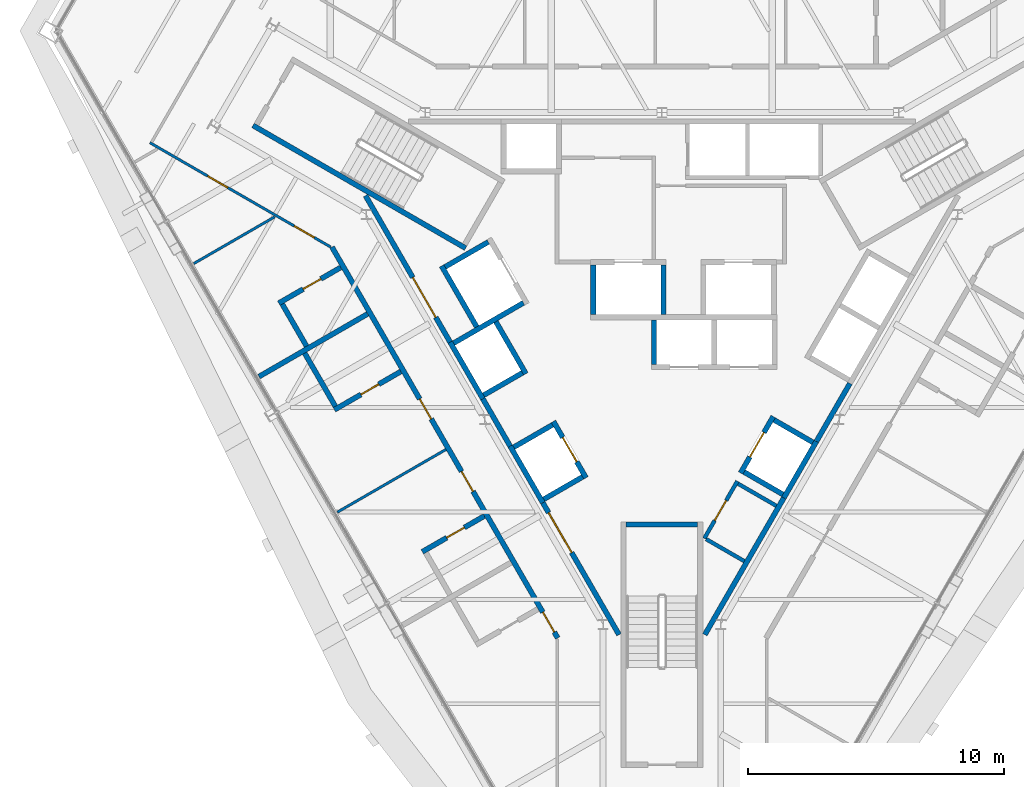
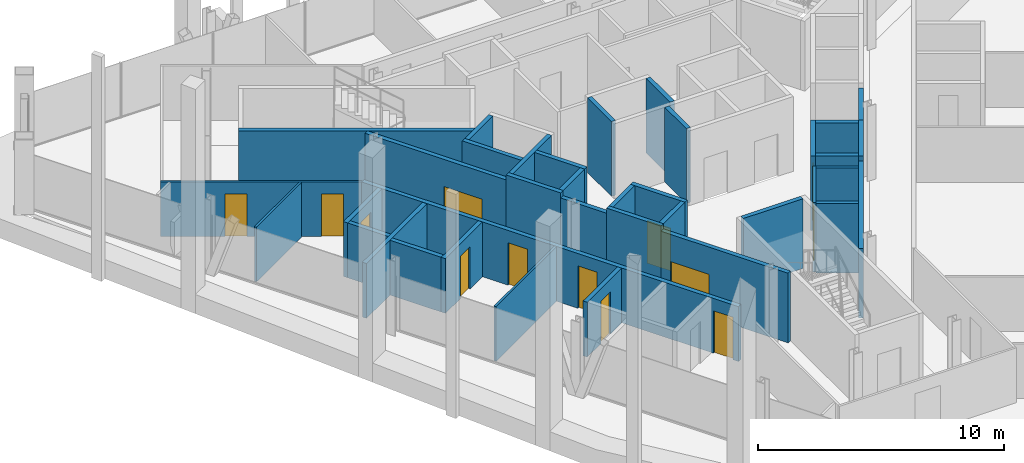
# One storey, part 9 of 14: 37 walls, 13 doors, 13 openings.
"""IFC4 building model written with IfcOpenShell, lengths in metres."""

from ifc_helpers import new_model, si_unit, direction, frame, frame_2d, origin, place, context, subcontext, project, spatial, rectangle, extrude, material, layer, layer_set, type_object, element, fill, save


model = new_model("IFC4")

# Units and contexts
model_context = context("Model", 3, precision=1e-05, world=origin(), true_north=direction((0.0, 1.0)))
body_context = subcontext(model_context, "Body", "Model", "MODEL_VIEW")
ifc_project = project(units=[si_unit("LENGTHUNIT", "METRE"), si_unit("AREAUNIT", "SQUARE_METRE"), si_unit("VOLUMEUNIT", "CUBIC_METRE"), si_unit("PLANEANGLEUNIT", "RADIAN"), si_unit("MASSUNIT", "GRAM", prefix="KILO")], contexts=[model_context])

# Site, building, storey
site_placement = place(None, origin())
site = spatial("IfcSite", under=ifc_project, at=site_placement, CompositionType="ELEMENT")
building_placement = place(site_placement, origin())
building = spatial("IfcBuilding", under=site, at=building_placement, Name="Verrane Prism Tower", CompositionType="ELEMENT")
storey_placement = place(building_placement, frame((0.0, 0.0, 206.39990234375)))
storey = spatial("IfcBuildingStorey", under=building, at=storey_placement, Name="L51", CompositionType="ELEMENT", Elevation=206.39990234375)

# Wall, opening, door
ifc_material_1 = material(Name="Gypsum board partition", Category="other")
ifc_layer_1 = layer(ifc_material_1, 0.199951171875)
ifc_layer_set_1 = layer_set([ifc_layer_1], Name="CW-200 core boundary wall 2 h")
wall_type_1 = type_object("IfcWallType", Name="CW-200 core boundary wall 2 h", PredefinedType="PARTITIONING", material=ifc_layer_set_1)
wall_1_placement = place(storey_placement, frame((-11.590576171875, 4.7548828125, 0.0), z_axis=(0.0, 0.0, 1.0), x_axis=(0.500043977787, -0.866000011708, 0.0)))
wall_1 = element("IfcWall", 1, at=wall_1_placement, inside=storey, type_object=wall_type_1, Name="Core boundary wall CW3-001", PredefinedType="PARTITIONING", context=body_context, shape_type="SweptSolid", body=[
    extrude(rectangle(XDim=6.61669921875, YDim=0.199951171875, at=frame_2d((3.308349609375, 0.0))), origin(), (0.0, 0.0, 1.0), 3.4501953125),
])
opening_1_placement = place(wall_1_placement, frame((3.695068359375, 0.0, 0.0)))
opening_1 = element("IfcOpeningElement", 2, at=opening_1_placement, cuts=wall_1, Name="Opening D51510", PredefinedType="OPENING", context=body_context, shape_type="SweptSolid", body=[
    extrude(rectangle(XDim=1.800048828125, YDim=2.10009765625, at=frame_2d((0.89990234375, 1.050048828125))), frame((0.0, 0.10986328125, 0.0), z_axis=(0.0, -1.0, 0.0), x_axis=(1.0, 0.0, 0.0)), (0.0, 0.0, 1.0), 0.219970703125),
])
ifc_material_2 = material(Name="Timber veneered door leaf", Category="wood")
door_type_1 = type_object("IfcDoorType", Name="DR-1800x2100 FD60 double leaf lift lobby", OperationType="NOTDEFINED", PredefinedType="DOOR", material=ifc_material_2)
door_1_placement = place(opening_1_placement, origin())
door_1 = element("IfcDoor", 3, at=door_1_placement, inside=storey, type_object=door_type_1, Name="Lift lobby door D51510", OperationType="DOUBLE_DOOR_SINGLE_SWING", OverallHeight=2.10009765625, OverallWidth=1.800048828125, PredefinedType="DOOR", context=body_context, shape_type="SweptSolid", body=[
    extrude(rectangle(XDim=1.800048828125, YDim=2.10009765625, at=frame_2d((0.89990234375, 1.050048828125))), frame((0.0, 0.02490234375, 0.0), z_axis=(0.0, -1.0, 0.0), x_axis=(1.0, 0.0, 0.0)), (0.0, 0.0, 1.0), 0.050048828125),
])
fill(opening_1, door_1)

# Wall
wall_2_placement = place(storey_placement, frame((-7.0048828125, -3.18701171875, 0.0), z_axis=(0.0, 0.0, 1.0), x_axis=(0.499689606989, -0.866204535123, 0.0)))
element("IfcWall", 4, at=wall_2_placement, inside=storey, type_object=wall_type_1, Name="Core boundary wall CW3-003", PredefinedType="PARTITIONING", context=body_context, shape_type="SweptSolid", body=[
    extrude(rectangle(XDim=2.144775390625, YDim=0.199951171875, at=frame_2d((1.072265625, 0.0))), origin(), (0.0, 0.0, 1.0), 3.4501953125),
])

# Wall, opening, door
wall_3_placement = place(storey_placement, frame((-4.655029296875, -7.257080078125, 0.0), z_axis=(0.0, 0.0, 1.0), x_axis=(0.499966124405, -0.866044960985, 0.0)))
wall_3 = element("IfcWall", 5, at=wall_3_placement, inside=storey, type_object=wall_type_1, Name="Core boundary wall CW3-004", PredefinedType="PARTITIONING", context=body_context, shape_type="SweptSolid", body=[
    extrude(rectangle(XDim=5.95556640625, YDim=0.199951171875, at=frame_2d((2.977783203125, 0.0))), origin(), (0.0, 0.0, 1.0), 3.4501953125),
])
opening_2_placement = place(wall_3_placement, frame((0.449951171875, 0.0, 0.0)))
opening_2 = element("IfcOpeningElement", 6, at=opening_2_placement, cuts=wall_3, Name="Opening D51511", PredefinedType="OPENING", context=body_context, shape_type="SweptSolid", body=[
    extrude(rectangle(XDim=1.800048828125, YDim=2.10009765625, at=frame_2d((0.89990234375, 1.050048828125))), frame((0.0, 0.10986328125, 0.0), z_axis=(0.0, -1.0, 0.0), x_axis=(1.0, 0.0, 0.0)), (0.0, 0.0, 1.0), 0.219970703125),
])
door_2_placement = place(opening_2_placement, origin())
door_2 = element("IfcDoor", 7, at=door_2_placement, inside=storey, type_object=door_type_1, Name="Lift lobby door D51511", OperationType="DOUBLE_DOOR_SINGLE_SWING", OverallHeight=2.10009765625, OverallWidth=1.800048828125, PredefinedType="DOOR", context=body_context, shape_type="SweptSolid", body=[
    extrude(rectangle(XDim=1.800048828125, YDim=2.10009765625, at=frame_2d((0.89990234375, 1.050048828125))), frame((0.0, 0.02490234375, 0.0), z_axis=(0.0, -1.0, 0.0), x_axis=(1.0, 0.0, 0.0)), (0.0, 0.0, 1.0), 0.050048828125),
])
fill(opening_2, door_2)

# Walls
wall_4_placement = place(storey_placement, frame((1.677490234375, -12.414794921875, 0.0), z_axis=(0.0, 0.0, 1.0), x_axis=(0.500054337157, 0.865994029939, 0.0)))
element("IfcWall", 8, at=wall_4_placement, inside=storey, type_object=wall_type_1, Name="Core boundary wall CW3-006", PredefinedType="PARTITIONING", context=body_context, shape_type="SweptSolid", body=[
    extrude(rectangle(XDim=6.176513671875, YDim=0.199951171875, at=frame_2d((3.08837890625, 0.0))), origin(), (0.0, 0.0, 1.0), 3.4501953125),
])
wall_5_placement = place(storey_placement, frame((6.0419921875, -4.85498046875, 0.0), z_axis=(0.0, 0.0, 1.0), x_axis=(0.500252727967, 0.865879442048, 0.0)))
element("IfcWall", 9, at=wall_5_placement, inside=storey, type_object=wall_type_1, Name="Core boundary wall CW3-007", PredefinedType="PARTITIONING", context=body_context, shape_type="SweptSolid", body=[
    extrude(rectangle(XDim=2.616943359375, YDim=0.199951171875, at=frame_2d((1.30859375, 0.0))), origin(), (0.0, 0.0, 1.0), 3.4501953125),
])
ifc_material_3 = material(Name="Concrete C40/50", Category="concrete")
ifc_layer_2 = layer(ifc_material_3, 0.199951171875)
ifc_layer_set_2 = layer_set([ifc_layer_2], Name="CW-200 stair core wall concrete C40/50 3 h")
wall_type_2 = type_object("IfcWallType", Name="CW-200 stair core wall concrete C40/50 3 h", PredefinedType="PARTITIONING", material=ifc_layer_set_2)
wall_6_placement = place(storey_placement, frame((-7.67822265625, 2.700927734375, 0.0), z_axis=(0.0, 0.0, 1.0), x_axis=(-0.866019993635, 0.500009370536, 0.0)))
element("IfcWall", 10, at=wall_6_placement, inside=storey, type_object=wall_type_2, Name="Stair 2 enclosure wall", PredefinedType="PARTITIONING", context=body_context, shape_type="SweptSolid", body=[
    extrude(rectangle(XDim=9.599853515625, YDim=0.199951171875, at=frame_2d((4.7998046875, 0.0))), origin(), (0.0, 0.0, 1.0), 3.4501953125),
])
wall_7_placement = place(storey_placement, frame((-1.39990234375, -8.10009765625, 0.0), z_axis=(0.0, 0.0, 1.0), x_axis=(1.0, 0.0, 0.0)))
element("IfcWall", 11, at=wall_7_placement, inside=storey, type_object=wall_type_2, Name="Stair 3 enclosure wall", PredefinedType="PARTITIONING", context=body_context, shape_type="SweptSolid", body=[
    extrude(rectangle(XDim=2.7998046875, YDim=0.199951171875, at=frame_2d((1.39990234375, 0.0))), origin(), (0.0, 0.0, 1.0), 3.4501953125),
])
ifc_material_4 = material(Name="Gypsum board shaft wall assembly", Category="other")
ifc_layer_3 = layer(ifc_material_4, 0.199951171875)
ifc_layer_set_3 = layer_set([ifc_layer_3], Name="HW-200 lift shaft wall 2 h")
wall_type_3 = type_object("IfcWallType", Name="HW-200 lift shaft wall 2 h", PredefinedType="PARTITIONING", material=ifc_layer_set_3)
for number, where, z_axis, x_axis, name in (
    (12, (-4.61962890625, -7.118408203125, 0.0), (0.0, 0.0, 1.0), (0.866036909293, 0.499980071345, 0.0), "Lift shaft wall"),
    (13, (-5.794677734375, -5.083251953125, 0.0), (0.0, 0.0, 1.0), (0.866036909293, 0.499980071345, 0.0), "Lift shaft wall"),
    (14, (-6.9697265625, -3.048095703125, 0.0), (0.0, 0.0, 1.0), (0.866036909293, 0.499980071345, 0.0), "Lift shaft wall"),
):
    element("IfcWall", number, at=place(storey_placement, frame(where, z_axis=z_axis, x_axis=x_axis)), inside=storey, type_object=wall_type_3, Name=name, PredefinedType="PARTITIONING", context=body_context, shape_type="SweptSolid", body=[
        extrude(rectangle(XDim=1.75, YDim=0.199951171875, at=frame_2d((0.875, 0.0))), origin(), (0.0, 0.0, 1.0), 3.7001953125),
    ])
wall_8_placement = place(storey_placement, frame((-8.14453125, -1.012939453125, 0.0), z_axis=(0.0, 0.0, 1.0), x_axis=(0.866016494683, 0.500015430699, 0.0)))
element("IfcWall", 15, at=wall_8_placement, inside=storey, type_object=wall_type_3, Name="Lift shaft wall", PredefinedType="PARTITIONING", context=body_context, shape_type="SweptSolid", body=[
    extrude(rectangle(XDim=3.14990234375, YDim=0.199951171875, at=frame_2d((1.574951171875, 0.0))), origin(), (0.0, 0.0, 1.0), 3.7001953125),
])
wall_9_placement = place(storey_placement, frame((-8.48046875, 1.968505859375, 0.0), z_axis=(0.0, 0.0, 1.0), x_axis=(0.866000020948, 0.500043961785, 0.0)))
element("IfcWall", 16, at=wall_9_placement, inside=storey, type_object=wall_type_3, Name="Lift shaft wall", PredefinedType="PARTITIONING", context=body_context, shape_type="SweptSolid", body=[
    extrude(rectangle(XDim=1.949951171875, YDim=0.199951171875, at=frame_2d((0.97509765625, 0.0))), origin(), (0.0, 0.0, 1.0), 3.7001953125),
])
wall_10_placement = place(storey_placement, frame((4.766357421875, -7.064697265625, 0.0), z_axis=(0.0, 0.0, 1.0), x_axis=(0.499948979701, 0.866054858364, 0.0)))
element("IfcWall", 17, at=wall_10_placement, inside=storey, type_object=wall_type_3, Name="Lift shaft wall", PredefinedType="PARTITIONING", context=body_context, shape_type="SweptSolid", body=[
    extrude(rectangle(XDim=2.550048828125, YDim=0.199951171875, at=frame_2d((1.27490234375, 0.0))), origin(), (0.0, 0.0, 1.0), 3.7001953125),
])

# Wall, opening, door
wall_11_placement = place(storey_placement, frame((3.077392578125, -6.089599609375, 0.0), z_axis=(0.0, 0.0, 1.0), x_axis=(0.500062241894, 0.865989465428, 0.0)))
wall_11 = element("IfcWall", 18, at=wall_11_placement, inside=storey, type_object=wall_type_3, Name="Lift shaft wall", PredefinedType="PARTITIONING", context=body_context, shape_type="SweptSolid", body=[
    extrude(rectangle(XDim=2.550048828125, YDim=0.199951171875, at=frame_2d((1.27490234375, 0.0))), origin(), (0.0, 0.0, 1.0), 3.7001953125),
])
opening_3_placement = place(wall_11_placement, frame((0.72509765625, 0.0, 0.0)))
opening_3 = element("IfcOpeningElement", 19, at=opening_3_placement, cuts=wall_11, Name="Opening D51505", PredefinedType="OPENING", context=body_context, shape_type="SweptSolid", body=[
    extrude(rectangle(XDim=1.10009765625, YDim=2.10009765625, at=frame_2d((0.550048828125, 1.050048828125))), frame((0.0, 0.10986328125, 0.0), z_axis=(0.0, -1.0, 0.0), x_axis=(1.0, 0.0, 0.0)), (0.0, 0.0, 1.0), 0.219970703125),
])
ifc_material_5 = material(Name="Stainless steel sliding landing door", Category="steel")
door_type_2 = type_object("IfcDoorType", Name="LD-1100x2100 lift landing door FD90 sliding", OperationType="NOTDEFINED", PredefinedType="DOOR", material=ifc_material_5)
door_3_placement = place(opening_3_placement, origin())
door_3 = element("IfcDoor", 20, at=door_3_placement, inside=storey, type_object=door_type_2, Name="Bank B lift 3 landing door", OperationType="SLIDING_TO_LEFT", OverallHeight=2.10009765625, OverallWidth=1.10009765625, PredefinedType="DOOR", context=body_context, shape_type="SweptSolid", body=[
    extrude(rectangle(XDim=1.10009765625, YDim=2.10009765625, at=frame_2d((0.550048828125, 1.050048828125))), frame((0.0, 0.02490234375, 0.0), z_axis=(0.0, -1.0, 0.0), x_axis=(1.0, 0.0, 0.0)), (0.0, 0.0, 1.0), 0.050048828125),
])
fill(opening_3, door_3)

# Walls
wall_12_placement = place(storey_placement, frame((0.06494140625, 0.10009765625, 0.0), z_axis=(0.0, 0.0, 1.0), x_axis=(0.0, 1.0, 0.0)))
element("IfcWall", 21, at=wall_12_placement, inside=storey, type_object=wall_type_3, Name="Lift shaft wall", PredefinedType="PARTITIONING", context=body_context, shape_type="SweptSolid", body=[
    extrude(rectangle(XDim=1.949951171875, YDim=0.199951171875, at=frame_2d((0.97509765625, 0.0))), origin(), (0.0, 0.0, 1.0), 3.7001953125),
])
wall_13_placement = place(storey_placement, frame((-0.304931640625, -1.85009765625, 0.0), z_axis=(0.0, 0.0, 1.0), x_axis=(0.0, 1.0, 0.0)))
element("IfcWall", 22, at=wall_13_placement, inside=storey, type_object=wall_type_3, Name="Lift shaft wall", PredefinedType="PARTITIONING", context=body_context, shape_type="SweptSolid", body=[
    extrude(rectangle(XDim=1.75, YDim=0.199951171875, at=frame_2d((0.875, 0.0))), origin(), (0.0, 0.0, 1.0), 3.7001953125),
])
wall_14_placement = place(storey_placement, frame((-2.68505859375, 0.10009765625, 0.0), z_axis=(0.0, 0.0, 1.0), x_axis=(0.0, 1.0, 0.0)))
element("IfcWall", 23, at=wall_14_placement, inside=storey, type_object=wall_type_3, Name="Lift shaft wall", PredefinedType="PARTITIONING", context=body_context, shape_type="SweptSolid", body=[
    extrude(rectangle(XDim=1.949951171875, YDim=0.199951171875, at=frame_2d((0.97509765625, 0.0))), origin(), (0.0, 0.0, 1.0), 3.7001953125),
])

# Wall, opening, door
wall_15_placement = place(storey_placement, frame((-2.967529296875, -6.280029296875, 0.0), z_axis=(0.0, 0.0, 1.0), x_axis=(-0.499990435942, 0.866030925526, 0.0)))
wall_15 = element("IfcWall", 24, at=wall_15_placement, inside=storey, type_object=wall_type_3, Name="Lift shaft wall", PredefinedType="PARTITIONING", context=body_context, shape_type="SweptSolid", body=[
    extrude(rectangle(XDim=2.5498046875, YDim=0.199951171875, at=frame_2d((1.27490234375, 0.0))), origin(), (0.0, 0.0, 1.0), 3.7001953125),
])
opening_4_placement = place(wall_15_placement, frame((0.72509765625, 0.0, 0.0)))
opening_4 = element("IfcOpeningElement", 25, at=opening_4_placement, cuts=wall_15, Name="Opening D51506", PredefinedType="OPENING", context=body_context, shape_type="SweptSolid", body=[
    extrude(rectangle(XDim=1.10009765625, YDim=2.10009765625, at=frame_2d((0.550048828125, 1.050048828125))), frame((0.0, 0.10986328125, 0.0), z_axis=(0.0, -1.0, 0.0), x_axis=(1.0, 0.0, 0.0)), (0.0, 0.0, 1.0), 0.219970703125),
])
door_4_placement = place(opening_4_placement, origin())
door_4 = element("IfcDoor", 26, at=door_4_placement, inside=storey, type_object=door_type_2, Name="Bank B lift 4 landing door", OperationType="SLIDING_TO_RIGHT", OverallHeight=2.10009765625, OverallWidth=1.10009765625, PredefinedType="DOOR", context=body_context, shape_type="SweptSolid", body=[
    extrude(rectangle(XDim=1.10009765625, YDim=2.10009765625, at=frame_2d((0.550048828125, 1.050048828125))), frame((0.0, 0.02490234375, 0.0), z_axis=(0.0, -1.0, 0.0), x_axis=(1.0, 0.0, 0.0)), (0.0, 0.0, 1.0), 0.050048828125),
])
fill(opening_4, door_4)

# Walls
wall_16_placement = place(storey_placement, frame((-5.317626953125, -2.209716796875, 0.0), z_axis=(0.0, 0.0, 1.0), x_axis=(-0.499938297808, 0.866061024631, 0.0)))
element("IfcWall", 27, at=wall_16_placement, inside=storey, type_object=wall_type_3, Name="Lift shaft wall", PredefinedType="PARTITIONING", context=body_context, shape_type="SweptSolid", body=[
    extrude(rectangle(XDim=2.349853515625, YDim=0.199951171875, at=frame_2d((1.1748046875, 0.0))), origin(), (0.0, 0.0, 1.0), 3.7001953125),
])
wall_17_placement = place(storey_placement, frame((-7.241943359375, -0.37646484375, 0.0), z_axis=(0.0, 0.0, 1.0), x_axis=(-0.499996545922, 0.866027397988, 0.0)))
element("IfcWall", 28, at=wall_17_placement, inside=storey, type_object=wall_type_3, Name="Lift shaft wall", PredefinedType="PARTITIONING", context=body_context, shape_type="SweptSolid", body=[
    extrude(rectangle(XDim=2.75, YDim=0.199951171875, at=frame_2d((1.375, 0.0))), origin(), (0.0, 0.0, 1.0), 3.7001953125),
])
for number, where, z_axis, x_axis, name in (
    (29, (-4.65625, -7.255126953125, 0.0), (0.0, 0.0, 1.0), (-0.499990435942, 0.866030925526, 0.0), "Lift shaft wall"),
    (30, (-7.00634765625, -3.184814453125, 0.0), (0.0, 0.0, 1.0), (-0.499990435942, 0.866030925526, 0.0), "Lift shaft wall"),
):
    element("IfcWall", number, at=place(storey_placement, frame(where, z_axis=z_axis, x_axis=x_axis)), inside=storey, type_object=wall_type_3, Name=name, PredefinedType="PARTITIONING", context=body_context, shape_type="SweptSolid", body=[
        extrude(rectangle(XDim=2.5498046875, YDim=0.199951171875, at=frame_2d((1.27490234375, 0.0))), origin(), (0.0, 0.0, 1.0), 3.7001953125),
    ])
wall_18_placement = place(storey_placement, frame((5.904541015625, -4.892822265625, 0.0), z_axis=(0.0, 0.0, 1.0), x_axis=(-0.866002029911, 0.500040482552, 0.0)))
element("IfcWall", 31, at=wall_18_placement, inside=storey, type_object=wall_type_3, Name="Lift shaft wall", PredefinedType="PARTITIONING", context=body_context, shape_type="SweptSolid", body=[
    extrude(rectangle(XDim=1.749755859375, YDim=0.199951171875, at=frame_2d((0.875, 0.0))), origin(), (0.0, 0.0, 1.0), 3.7001953125),
])
wall_19_placement = place(storey_placement, frame((4.729736328125, -6.927978515625, 0.0), z_axis=(0.0, 0.0, 1.0), x_axis=(-0.866036909293, 0.499980071345, 0.0)))
element("IfcWall", 32, at=wall_19_placement, inside=storey, type_object=wall_type_3, Name="Lift shaft wall", PredefinedType="PARTITIONING", context=body_context, shape_type="SweptSolid", body=[
    extrude(rectangle(XDim=1.75, YDim=0.199951171875, at=frame_2d((0.875, 0.0))), origin(), (0.0, 0.0, 1.0), 3.7001953125),
])

# Wall, openings, doors
ifc_material_6 = material(Name="Gypsum board partition", Category="other")
ifc_layer_4 = layer(ifc_material_6, 0.10009765625)
ifc_layer_set_4 = layer_set([ifc_layer_4], Name="PW-100 room partition")
wall_type_4 = type_object("IfcWallType", Name="PW-100 room partition", PredefinedType="PARTITIONING", material=ifc_layer_set_4)
wall_20_placement = place(storey_placement, frame((-12.95166015625, 2.744384765625, 0.0), z_axis=(0.0, 0.0, 1.0), x_axis=(-0.86608949446, 0.499888975259, 0.0)))
wall_20 = element("IfcWall", 33, at=wall_20_placement, inside=storey, type_object=wall_type_4, Name="Room partition 003", PredefinedType="PARTITIONING", context=body_context, shape_type="SweptSolid", body=[
    extrude(rectangle(XDim=8.164794921875, YDim=0.10009765625, at=frame_2d((4.08251953125, 0.0))), origin(), (0.0, 0.0, 1.0), 2.713134765625),
])
opening_5_placement = place(wall_20_placement, frame((4.64990234375, 0.0, 0.0)))
opening_5 = element("IfcOpeningElement", 34, at=opening_5_placement, cuts=wall_20, Name="Opening D51014", PredefinedType="OPENING", context=body_context, shape_type="SweptSolid", body=[
    extrude(rectangle(XDim=0.89990234375, YDim=2.10009765625, at=frame_2d((0.449951171875, 1.050048828125))), frame((0.0, 0.06005859375, 0.0), z_axis=(0.0, -1.0, 0.0), x_axis=(1.0, 0.0, 0.0)), (0.0, 0.0, 1.0), 0.1201171875),
])
opening_6_placement = place(wall_20_placement, frame((0.74609375, 0.0, 0.0)))
opening_6 = element("IfcOpeningElement", 35, at=opening_6_placement, cuts=wall_20, Name="Opening D51015", PredefinedType="OPENING", context=body_context, shape_type="SweptSolid", body=[
    extrude(rectangle(XDim=0.89990234375, YDim=2.10009765625, at=frame_2d((0.449951171875, 1.050048828125))), frame((0.0, 0.06005859375, 0.0), z_axis=(0.0, -1.0, 0.0), x_axis=(1.0, 0.0, 0.0)), (0.0, 0.0, 1.0), 0.1201171875),
])
ifc_material_7 = material(Name="Timber veneered door leaf", Category="wood")
door_type_3 = type_object("IfcDoorType", Name="DR-900x2100 single leaf inner", OperationType="NOTDEFINED", PredefinedType="DOOR", material=ifc_material_7)
door_5_placement = place(opening_6_placement, origin())
door_5 = element("IfcDoor", 36, at=door_5_placement, inside=storey, type_object=door_type_3, Name="Bedroom door", OperationType="SINGLE_SWING_RIGHT", OverallHeight=2.10009765625, OverallWidth=0.89990234375, PredefinedType="DOOR", context=body_context, shape_type="SweptSolid", body=[
    extrude(rectangle(XDim=0.89990234375, YDim=2.10009765625, at=frame_2d((0.449951171875, 1.050048828125))), frame((0.0, 0.02490234375, 0.0), z_axis=(0.0, -1.0, 0.0), x_axis=(1.0, 0.0, 0.0)), (0.0, 0.0, 1.0), 0.050048828125),
])
fill(opening_6, door_5)
ifc_material_8 = material(Name="Timber veneered door leaf", Category="wood")
door_type_4 = type_object("IfcDoorType", Name="DR-900x2100 single leaf unit", OperationType="NOTDEFINED", PredefinedType="DOOR", material=ifc_material_8)
door_6_placement = place(opening_5_placement, origin())
door_6 = element("IfcDoor", 37, at=door_6_placement, inside=storey, type_object=door_type_4, Name="Kitchen door", OperationType="SINGLE_SWING_LEFT", OverallHeight=2.10009765625, OverallWidth=0.89990234375, PredefinedType="DOOR", context=body_context, shape_type="SweptSolid", body=[
    extrude(rectangle(XDim=0.89990234375, YDim=2.10009765625, at=frame_2d((0.449951171875, 1.050048828125))), frame((0.0, 0.02490234375, 0.0), z_axis=(0.0, -1.0, 0.0), x_axis=(1.0, 0.0, 0.0)), (0.0, 0.0, 1.0), 0.050048828125),
])
fill(opening_5, door_6)

# Walls
wall_21_placement = place(storey_placement, frame((-18.3076171875, 2.09912109375, 0.0), z_axis=(0.0, 0.0, 1.0), x_axis=(0.866054218355, 0.499950088379, 0.0)))
element("IfcWall", 38, at=wall_21_placement, inside=storey, type_object=wall_type_4, Name="Room partition 004", PredefinedType="PARTITIONING", context=body_context, shape_type="SweptSolid", body=[
    extrude(rectangle(XDim=3.651611328125, YDim=0.10009765625, at=frame_2d((1.82568359375, 0.0))), origin(), (0.0, 0.0, 1.0), 2.713134765625),
])
wall_22_placement = place(storey_placement, frame((-12.694091796875, -7.624267578125, 0.0), z_axis=(0.0, 0.0, 1.0), x_axis=(0.865991567799, 0.500058601068, 0.0)))
element("IfcWall", 39, at=wall_22_placement, inside=storey, type_object=wall_type_4, Name="Room partition 012", PredefinedType="PARTITIONING", context=body_context, shape_type="SweptSolid", body=[
    extrude(rectangle(XDim=4.90380859375, YDim=0.10009765625, at=frame_2d((2.451904296875, 0.0))), origin(), (0.0, 0.0, 1.0), 2.713134765625),
])
ifc_material_9 = material(Name="Gypsum board partition", Category="other")
ifc_layer_5 = layer(ifc_material_9, 0.199951171875)
ifc_layer_set_5 = layer_set([ifc_layer_5], Name="PW-200 plumbing wall")
wall_type_5 = type_object("IfcWallType", Name="PW-200 plumbing wall", PredefinedType="PARTITIONING", material=ifc_layer_set_5)
wall_23_placement = place(storey_placement, frame((-15.755859375, -2.321044921875, 0.0), z_axis=(0.0, 0.0, 1.0), x_axis=(0.866042025588, 0.499971209087, 0.0)))
element("IfcWall", 40, at=wall_23_placement, inside=storey, type_object=wall_type_5, Name="Plumbing wall 006", PredefinedType="PARTITIONING", context=body_context, shape_type="SweptSolid", body=[
    extrude(rectangle(XDim=4.899169921875, YDim=0.199951171875, at=frame_2d((2.44970703125, 0.0))), origin(), (0.0, 0.0, 1.0), 2.713134765625),
])
wall_24_placement = place(storey_placement, frame((-14.846923828125, 0.513427734375, 0.0), z_axis=(0.0, 0.0, 1.0), x_axis=(0.499911523785, -0.866076479525, 0.0)))
element("IfcWall", 41, at=wall_24_placement, inside=storey, type_object=wall_type_5, Name="Plumbing wall 007", PredefinedType="PARTITIONING", context=body_context, shape_type="SweptSolid", body=[
    extrude(rectangle(XDim=1.900146484375, YDim=0.199951171875, at=frame_2d((0.9501953125, 0.0))), origin(), (0.0, 0.0, 1.0), 2.713134765625),
])

# Wall, opening, door
wall_25_placement = place(storey_placement, frame((-12.56298828125, 1.947509765625, 0.0), z_axis=(0.0, 0.0, 1.0), x_axis=(-0.866041588165, -0.499971966783, 0.0)))
wall_25 = element("IfcWall", 42, at=wall_25_placement, inside=storey, type_object=wall_type_5, Name="Plumbing wall 008", PredefinedType="PARTITIONING", context=body_context, shape_type="SweptSolid", body=[
    extrude(rectangle(XDim=2.795166015625, YDim=0.199951171875, at=frame_2d((1.3974609375, 0.0))), origin(), (0.0, 0.0, 1.0), 2.713134765625),
])
opening_7_placement = place(wall_25_placement, frame((0.89501953125, 0.0, 0.0)))
opening_7 = element("IfcOpeningElement", 43, at=opening_7_placement, cuts=wall_25, Name="Opening D51016", PredefinedType="OPENING", context=body_context, shape_type="SweptSolid", body=[
    extrude(rectangle(XDim=0.800048828125, YDim=2.10009765625, at=frame_2d((0.39990234375, 1.050048828125))), frame((0.0, 0.10986328125, 0.0), z_axis=(0.0, -1.0, 0.0), x_axis=(1.0, 0.0, 0.0)), (0.0, 0.0, 1.0), 0.219970703125),
])
ifc_material_10 = material(Name="Timber veneered door leaf", Category="wood")
door_type_5 = type_object("IfcDoorType", Name="DR-800x2100 single leaf bath", OperationType="NOTDEFINED", PredefinedType="DOOR", material=ifc_material_10)
door_7_placement = place(opening_7_placement, origin())
door_7 = element("IfcDoor", 44, at=door_7_placement, inside=storey, type_object=door_type_5, Name="Bathroom door", OperationType="SINGLE_SWING_LEFT", OverallHeight=2.10009765625, OverallWidth=0.800048828125, PredefinedType="DOOR", context=body_context, shape_type="SweptSolid", body=[
    extrude(rectangle(XDim=0.800048828125, YDim=2.10009765625, at=frame_2d((0.39990234375, 1.050048828125))), frame((0.0, 0.02490234375, 0.0), z_axis=(0.0, -1.0, 0.0), x_axis=(1.0, 0.0, 0.0)), (0.0, 0.0, 1.0), 0.050048828125),
])
fill(opening_7, door_7)

# Wall
wall_26_placement = place(storey_placement, frame((-13.969970703125, -1.405517578125, 0.0), z_axis=(0.0, 0.0, 1.0), x_axis=(0.499784123135, -0.866150004481, 0.0)))
element("IfcWall", 45, at=wall_26_placement, inside=storey, type_object=wall_type_5, Name="Plumbing wall 009", PredefinedType="PARTITIONING", context=body_context, shape_type="SweptSolid", body=[
    extrude(rectangle(XDim=2.39892578125, YDim=0.199951171875, at=frame_2d((1.199462890625, 0.0))), origin(), (0.0, 0.0, 1.0), 2.713134765625),
])

# Wall, openings, doors
wall_27_placement = place(storey_placement, frame((-4.074951171875, -12.54541015625, 0.0), z_axis=(0.0, 0.0, 1.0), x_axis=(-0.499999743747, 0.866025551732, 0.0)))
wall_27 = element("IfcWall", 46, at=wall_27_placement, inside=storey, type_object=wall_type_5, Name="Plumbing wall 010", PredefinedType="PARTITIONING", context=body_context, shape_type="SweptSolid", body=[
    extrude(rectangle(XDim=17.65625, YDim=0.199951171875, at=frame_2d((8.828125, 0.0))), origin(), (0.0, 0.0, 1.0), 2.713134765625),
])
opening_8_placement = place(wall_27_placement, frame((9.89501953125, 0.0, 0.0)))
opening_8 = element("IfcOpeningElement", 47, at=opening_8_placement, cuts=wall_27, Name="Opening D51017", PredefinedType="OPENING", context=body_context, shape_type="SweptSolid", body=[
    extrude(rectangle(XDim=0.89990234375, YDim=2.10009765625, at=frame_2d((0.449951171875, 1.050048828125))), frame((0.0, 0.10986328125, 0.0), z_axis=(0.0, -1.0, 0.0), x_axis=(1.0, 0.0, 0.0)), (0.0, 0.0, 1.0), 0.219970703125),
])
opening_9_placement = place(wall_27_placement, frame((6.6220703125, 0.0, 0.0)))
opening_9 = element("IfcOpeningElement", 48, at=opening_9_placement, cuts=wall_27, Name="Opening D51019", PredefinedType="OPENING", context=body_context, shape_type="SweptSolid", body=[
    extrude(rectangle(XDim=0.89990234375, YDim=2.10009765625, at=frame_2d((0.449951171875, 1.050048828125))), frame((0.0, 0.10986328125, 0.0), z_axis=(0.0, -1.0, 0.0), x_axis=(1.0, 0.0, 0.0)), (0.0, 0.0, 1.0), 0.219970703125),
])
opening_10_placement = place(wall_27_placement, frame((0.26806640625, 0.0, 0.0)))
opening_10 = element("IfcOpeningElement", 49, at=opening_10_placement, cuts=wall_27, Name="Opening D51021", PredefinedType="OPENING", context=body_context, shape_type="SweptSolid", body=[
    extrude(rectangle(XDim=0.89990234375, YDim=2.10009765625, at=frame_2d((0.449951171875, 1.050048828125))), frame((0.0, 0.10986328125, 0.0), z_axis=(0.0, -1.0, 0.0), x_axis=(1.0, 0.0, 0.0)), (0.0, 0.0, 1.0), 0.219970703125),
])
door_8_placement = place(opening_8_placement, origin())
door_8 = element("IfcDoor", 50, at=door_8_placement, inside=storey, type_object=door_type_3, Name="Master Bedroom door", OperationType="SINGLE_SWING_RIGHT", OverallHeight=2.10009765625, OverallWidth=0.89990234375, PredefinedType="DOOR", context=body_context, shape_type="SweptSolid", body=[
    extrude(rectangle(XDim=0.89990234375, YDim=2.10009765625, at=frame_2d((0.449951171875, 1.050048828125))), frame((0.0, 0.02490234375, 0.0), z_axis=(0.0, -1.0, 0.0), x_axis=(1.0, 0.0, 0.0)), (0.0, 0.0, 1.0), 0.050048828125),
])
fill(opening_8, door_8)
door_9_placement = place(opening_9_placement, origin())
door_9 = element("IfcDoor", 51, at=door_9_placement, inside=storey, type_object=door_type_3, Name="Bedroom door", OperationType="SINGLE_SWING_RIGHT", OverallHeight=2.10009765625, OverallWidth=0.89990234375, PredefinedType="DOOR", context=body_context, shape_type="SweptSolid", body=[
    extrude(rectangle(XDim=0.89990234375, YDim=2.10009765625, at=frame_2d((0.449951171875, 1.050048828125))), frame((0.0, 0.02490234375, 0.0), z_axis=(0.0, -1.0, 0.0), x_axis=(1.0, 0.0, 0.0)), (0.0, 0.0, 1.0), 0.050048828125),
])
fill(opening_9, door_9)
door_10_placement = place(opening_10_placement, origin())
door_10 = element("IfcDoor", 52, at=door_10_placement, inside=storey, type_object=door_type_3, Name="Bedroom door", OperationType="SINGLE_SWING_RIGHT", OverallHeight=2.10009765625, OverallWidth=0.89990234375, PredefinedType="DOOR", context=body_context, shape_type="SweptSolid", body=[
    extrude(rectangle(XDim=0.89990234375, YDim=2.10009765625, at=frame_2d((0.449951171875, 1.050048828125))), frame((0.0, 0.02490234375, 0.0), z_axis=(0.0, -1.0, 0.0), x_axis=(1.0, 0.0, 0.0)), (0.0, 0.0, 1.0), 0.050048828125),
])
fill(opening_10, door_10)

# Wall, opening, door
wall_28_placement = place(storey_placement, frame((-12.8076171875, -3.619873046875, 0.0), z_axis=(0.0, 0.0, 1.0), x_axis=(0.866134024916, 0.499811815469, 0.0)))
wall_28 = element("IfcWall", 53, at=wall_28_placement, inside=storey, type_object=wall_type_5, Name="Plumbing wall 011", PredefinedType="PARTITIONING", context=body_context, shape_type="SweptSolid", body=[
    extrude(rectangle(XDim=2.995849609375, YDim=0.199951171875, at=frame_2d((1.498046875, 0.0))), origin(), (0.0, 0.0, 1.0), 2.713134765625),
])
opening_11_placement = place(wall_28_placement, frame((1.199951171875, 0.0, 0.0)))
opening_11 = element("IfcOpeningElement", 54, at=opening_11_placement, cuts=wall_28, Name="Opening D51018", PredefinedType="OPENING", context=body_context, shape_type="SweptSolid", body=[
    extrude(rectangle(XDim=0.800048828125, YDim=2.10009765625, at=frame_2d((0.39990234375, 1.050048828125))), frame((0.0, 0.10986328125, 0.0), z_axis=(0.0, -1.0, 0.0), x_axis=(1.0, 0.0, 0.0)), (0.0, 0.0, 1.0), 0.219970703125),
])
door_11_placement = place(opening_11_placement, origin())
door_11 = element("IfcDoor", 55, at=door_11_placement, inside=storey, type_object=door_type_5, Name="Master Bathroom door", OperationType="SINGLE_SWING_RIGHT", OverallHeight=2.10009765625, OverallWidth=0.800048828125, PredefinedType="DOOR", context=body_context, shape_type="SweptSolid", body=[
    extrude(rectangle(XDim=0.800048828125, YDim=2.10009765625, at=frame_2d((0.39990234375, 1.050048828125))), frame((0.0, 0.02490234375, 0.0), z_axis=(0.0, -1.0, 0.0), x_axis=(1.0, 0.0, 0.0)), (0.0, 0.0, 1.0), 0.050048828125),
])
fill(opening_11, door_11)

wall_29_placement = place(storey_placement, frame((-6.949951171875, -7.775390625, 0.0), z_axis=(0.0, 0.0, 1.0), x_axis=(-0.866003766563, -0.500037474894, 0.0)))
wall_29 = element("IfcWall", 56, at=wall_29_placement, inside=storey, type_object=wall_type_5, Name="Plumbing wall 016", PredefinedType="PARTITIONING", context=body_context, shape_type="SweptSolid", body=[
    extrude(rectangle(XDim=2.795166015625, YDim=0.199951171875, at=frame_2d((1.3974609375, 0.0))), origin(), (0.0, 0.0, 1.0), 2.713134765625),
])
opening_12_placement = place(wall_29_placement, frame((0.89501953125, 0.0, 0.0)))
opening_12 = element("IfcOpeningElement", 57, at=opening_12_placement, cuts=wall_29, Name="Opening D51020", PredefinedType="OPENING", context=body_context, shape_type="SweptSolid", body=[
    extrude(rectangle(XDim=0.800048828125, YDim=2.10009765625, at=frame_2d((0.39990234375, 1.050048828125))), frame((0.0, 0.10986328125, 0.0), z_axis=(0.0, -1.0, 0.0), x_axis=(1.0, 0.0, 0.0)), (0.0, 0.0, 1.0), 0.219970703125),
])
door_12_placement = place(opening_12_placement, origin())
door_12 = element("IfcDoor", 58, at=door_12_placement, inside=storey, type_object=door_type_5, Name="Bathroom door", OperationType="SINGLE_SWING_LEFT", OverallHeight=2.10009765625, OverallWidth=0.800048828125, PredefinedType="DOOR", context=body_context, shape_type="SweptSolid", body=[
    extrude(rectangle(XDim=0.800048828125, YDim=2.10009765625, at=frame_2d((0.39990234375, 1.050048828125))), frame((0.0, 0.02490234375, 0.0), z_axis=(0.0, -1.0, 0.0), x_axis=(1.0, 0.0, 0.0)), (0.0, 0.0, 1.0), 0.050048828125),
])
fill(opening_12, door_12)

ifc_material_11 = material(Name="Gypsum board partition", Category="other")
ifc_layer_6 = layer(ifc_material_11, 0.14990234375)
ifc_layer_set_6 = layer_set([ifc_layer_6], Name="RS-150 riser enclosure wall 1 h")
wall_type_6 = type_object("IfcWallType", Name="RS-150 riser enclosure wall 1 h", PredefinedType="PARTITIONING", material=ifc_layer_set_6)
wall_30_placement = place(storey_placement, frame((2.950439453125, -6.408935546875, 0.0), z_axis=(0.0, 0.0, 1.0), x_axis=(-0.499978610854, -0.866037752461, 0.0)))
wall_30 = element("IfcWall", 59, at=wall_30_placement, inside=storey, type_object=wall_type_6, Name="Riser wall RS3-003", PredefinedType="PARTITIONING", context=body_context, shape_type="SweptSolid", body=[
    extrude(rectangle(XDim=2.5849609375, YDim=0.14990234375, at=frame_2d((1.29248046875, 0.0))), origin(), (0.0, 0.0, 1.0), 3.4501953125),
])
opening_13_placement = place(wall_30_placement, frame((0.875, 0.0, 0.0)))
opening_13 = element("IfcOpeningElement", 60, at=opening_13_placement, cuts=wall_30, Name="Opening D51516", PredefinedType="OPENING", context=body_context, shape_type="SweptSolid", body=[
    extrude(rectangle(XDim=0.89990234375, YDim=2.10009765625, at=frame_2d((0.449951171875, 1.050048828125))), frame((0.0, 0.0849609375, 0.0), z_axis=(0.0, -1.0, 0.0), x_axis=(1.0, 0.0, 0.0)), (0.0, 0.0, 1.0), 0.169921875),
])
ifc_material_12 = material(Name="Timber veneered door leaf", Category="wood")
door_type_6 = type_object("IfcDoorType", Name="DR-900x2100 FD20 single leaf store", OperationType="NOTDEFINED", PredefinedType="DOOR", material=ifc_material_12)
door_13_placement = place(opening_13_placement, origin())
door_13 = element("IfcDoor", 61, at=door_13_placement, inside=storey, type_object=door_type_6, Name="Room door D51516", OperationType="SINGLE_SWING_RIGHT", OverallHeight=2.10009765625, OverallWidth=0.89990234375, PredefinedType="DOOR", context=body_context, shape_type="SweptSolid", body=[
    extrude(rectangle(XDim=0.89990234375, YDim=2.10009765625, at=frame_2d((0.449951171875, 1.050048828125))), frame((0.0, 0.02490234375, 0.0), z_axis=(0.0, -1.0, 0.0), x_axis=(1.0, 0.0, 0.0)), (0.0, 0.0, 1.0), 0.050048828125),
])
fill(opening_13, door_13)

# Walls
for number, where, z_axis, x_axis, name in (
    (62, (1.72802734375, -8.676513671875, 0.0), (0.0, 0.0, 1.0), (0.866084276826, -0.499898015034, 0.0), "Riser wall RS3-004"),
    (63, (2.97802734375, -6.511474609375, 0.0), (0.0, 0.0, 1.0), (0.866084276826, -0.499898015034, 0.0), "Riser wall RS3-005"),
):
    element("IfcWall", number, at=place(storey_placement, frame(where, z_axis=z_axis, x_axis=x_axis)), inside=storey, type_object=wall_type_6, Name=name, PredefinedType="PARTITIONING", context=body_context, shape_type="SweptSolid", body=[
        extrude(rectangle(XDim=1.725341796875, YDim=0.14990234375, at=frame_2d((0.86279296875, 0.0))), origin(), (0.0, 0.0, 1.0), 3.4501953125),
    ])

save(model, "model.ifc")
